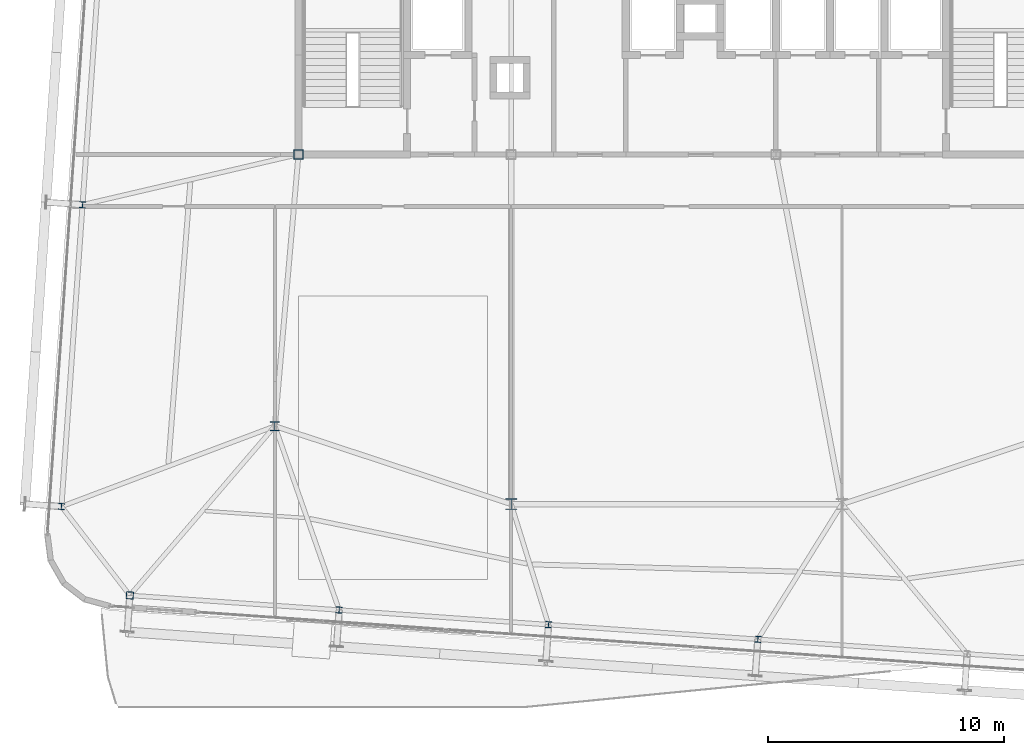
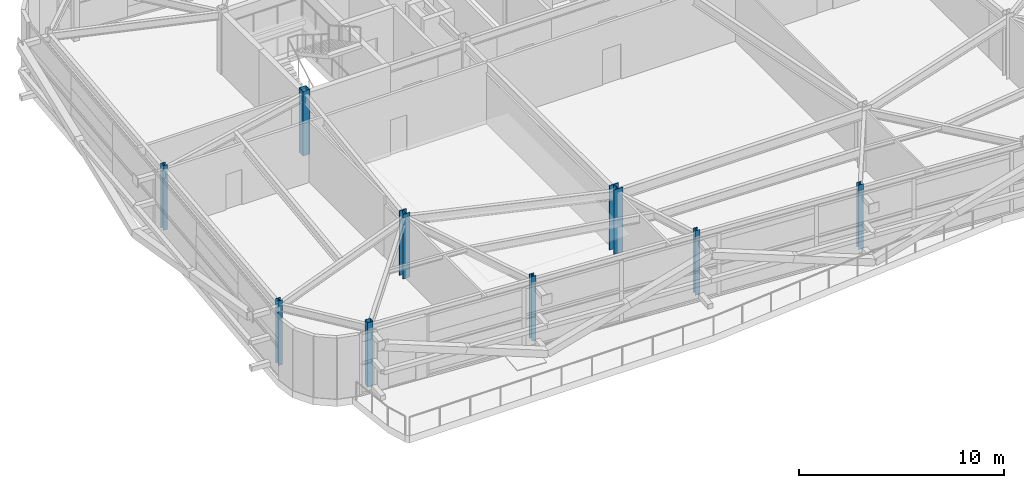
# One storey, part 1 of 36: 9 columns.
"""IFC4 building model written with IfcOpenShell, lengths in metres."""

from ifc_helpers import new_model, si_unit, direction, frame, origin, origin_2d, place, context, subcontext, project, spatial, hollow_rectangle, i_section, extrude, source, transform, mapped, material, material_profile, profile_set, type_object, element, save


model = new_model("IFC4")

# Units and contexts
model_context = context("Model", 3, precision=1e-05, world=origin(), true_north=direction((0.0, 1.0)))
body_context = subcontext(model_context, "Body", "Model", "MODEL_VIEW")
ifc_project = project(units=[si_unit("LENGTHUNIT", "METRE"), si_unit("AREAUNIT", "SQUARE_METRE"), si_unit("VOLUMEUNIT", "CUBIC_METRE"), si_unit("PLANEANGLEUNIT", "RADIAN"), si_unit("MASSUNIT", "GRAM", prefix="KILO")], contexts=[model_context])

# Site, building, storey
site_placement = place(None, origin())
site = spatial("IfcSite", under=ifc_project, at=site_placement, CompositionType="ELEMENT")
building_placement = place(site_placement, origin())
building = spatial("IfcBuilding", under=site, at=building_placement, Name="Taldren Reach Tower", CompositionType="ELEMENT")
storey_placement = place(building_placement, frame((0.0, 0.0, 116.550048828125)))
storey = spatial("IfcBuildingStorey", under=building, at=storey_placement, Name="L35", CompositionType="ELEMENT", Elevation=116.550048828125)

# Columns
ifc_material_1 = material(Name="Steel Gr 450 (C450L0)", Category="steel")
ifc_material_profile_1 = material_profile(ifc_material_1, hollow_rectangle(XDim=0.39990234375, YDim=0.39990234375, WallThickness=0.01611328125, at=origin_2d()), Name="400x400x16.0SHS")
ifc_profile_set_1 = profile_set([ifc_material_profile_1], Name="Steel Gr 450 (C450L0)")
column_type_1 = type_object("IfcColumnType", Name="COL-SHS400", PredefinedType="COLUMN", material=ifc_profile_set_1)
shared_shape_1 = source(origin(), body_context, "Body", "SweptSolid", [
    extrude(hollow_rectangle(XDim=0.39990234375, YDim=0.39990234375, WallThickness=0.01611328125, at=origin_2d()), origin(), (0.0, 0.0, 1.0), 3.849853515625),
])
column_1_placement = place(storey_placement, frame((19.0, 24.0, 0.0), z_axis=(0.0, 0.0, 1.0), x_axis=(1.0, 0.0, 0.0)))
element("IfcColumn", 1, at=column_1_placement, inside=storey, type_object=column_type_1, Name="Mega column MC-C1 L35", PredefinedType="COLUMN", context=body_context, shape_type="MappedRepresentation", body=[
    mapped(shared_shape_1, transform((0.0, 0.0, 0.0), scale=1.0)),
])
ifc_material_2 = material(Name="Steel Gr 350 (350PLUS)", Category="steel")
ifc_material_profile_2 = material_profile(ifc_material_2, i_section(OverallWidth=0.5, OverallDepth=0.464111328125, WebThickness=0.02197265625, FlangeThickness=0.033935546875, at=origin_2d()), Name="500WC340")
ifc_profile_set_2 = profile_set([ifc_material_profile_2], Name="Steel Gr 350 (350PLUS)")
column_type_2 = type_object("IfcColumnType", Name="COL-WC500B", PredefinedType="COLUMN", material=ifc_profile_set_2)
shared_shape_2 = source(origin(), body_context, "Body", "SweptSolid", [
    extrude(i_section(OverallWidth=0.5, OverallDepth=0.464111328125, WebThickness=0.02197265625, FlangeThickness=0.033935546875, at=origin_2d()), origin(), (0.0, 0.0, 1.0), 3.849853515625),
])
column_2_placement = place(storey_placement, frame((28.0, 9.199951171875, 0.0), z_axis=(0.0, 0.0, 1.0), x_axis=(1.0, 0.0, 0.0)))
element("IfcColumn", 2, at=column_2_placement, inside=storey, type_object=column_type_2, Name="Mega column MC-PJW L35", PredefinedType="COLUMN", context=body_context, shape_type="MappedRepresentation", body=[
    mapped(shared_shape_2, transform((0.0, 0.0, 0.0), scale=1.0)),
])
ifc_material_profile_3 = material_profile(ifc_material_2, i_section(OverallWidth=0.39990234375, OverallDepth=0.39599609375, WebThickness=0.02197265625, FlangeThickness=0.033935546875, at=origin_2d()), Name="400WC270")
ifc_profile_set_3 = profile_set([ifc_material_profile_3], Name="Steel Gr 350 (350PLUS)")
column_type_3 = type_object("IfcColumnType", Name="COL-WC400", PredefinedType="COLUMN", material=ifc_profile_set_3)
shared_shape_3 = source(origin(), body_context, "Body", "SweptSolid", [
    extrude(i_section(OverallWidth=0.39990234375, OverallDepth=0.39599609375, WebThickness=0.02197265625, FlangeThickness=0.033935546875, at=origin_2d()), origin(), (0.0, 0.0, 1.0), 3.849853515625),
])
column_3_placement = place(storey_placement, frame((18.0, 12.5, 0.0), z_axis=(0.0, 0.0, 1.0), x_axis=(1.0, 0.0, 0.0)))
element("IfcColumn", 3, at=column_3_placement, inside=storey, type_object=column_type_3, Name="Mega column MC-SW L35", PredefinedType="COLUMN", context=body_context, shape_type="MappedRepresentation", body=[
    mapped(shared_shape_3, transform((0.0, 0.0, 0.0), scale=1.0)),
])
ifc_material_profile_4 = material_profile(ifc_material_1, hollow_rectangle(XDim=0.300048828125, YDim=0.300048828125, WallThickness=0.012451171875, at=origin_2d()), Name="300x300x12.5SHS")
ifc_profile_set_4 = profile_set([ifc_material_profile_4], Name="Steel Gr 450 (C450L0)")
column_type_4 = type_object("IfcColumnType", Name="COL-SHS300", PredefinedType="COLUMN", material=ifc_profile_set_4)
shared_shape_4 = source(origin(), body_context, "Body", "SweptSolid", [
    extrude(hollow_rectangle(XDim=0.300048828125, YDim=0.300048828125, WallThickness=0.012451171875, at=origin_2d()), origin(), (0.0, 0.0, 1.0), 3.849853515625),
])
column_4_placement = place(storey_placement, frame((11.863525390625, 5.33837890625, 0.0), z_axis=(0.0, 0.0, 1.0), x_axis=(0.99756405026, -0.069756473744, 0.0)))
element("IfcColumn", 4, at=column_4_placement, inside=storey, type_object=column_type_4, Name="Block B3 perimeter column S1 L35", PredefinedType="COLUMN", context=body_context, shape_type="MappedRepresentation", body=[
    mapped(shared_shape_4, transform((0.0, 0.0, 0.0), scale=1.0)),
])
ifc_material_profile_5 = material_profile(ifc_material_2, i_section(OverallWidth=0.256103515625, OverallDepth=0.260009765625, WebThickness=0.010498046875, FlangeThickness=0.017333984375, at=origin_2d()), Name="250UC89.5")
ifc_profile_set_5 = profile_set([ifc_material_profile_5], Name="Steel Gr 350 (350PLUS)")
column_type_5 = type_object("IfcColumnType", Name="COL-UC250", PredefinedType="COLUMN", material=ifc_profile_set_5)
shared_shape_5 = source(origin(), body_context, "Body", "SweptSolid", [
    extrude(i_section(OverallWidth=0.256103515625, OverallDepth=0.260009765625, WebThickness=0.010498046875, FlangeThickness=0.017333984375, at=origin_2d()), origin(), (0.0, 0.0, 1.0), 3.849853515625),
])
for number, where, z_axis, x_axis, name in (
    (5, (20.721923828125, 4.718994140625, 0.0), (0.0, 0.0, 1.0), (0.99756405026, -0.069756473744, 0.0), "Block B3 perimeter column S2 L35"),
    (6, (29.580322265625, 4.099609375, 0.0), (0.0, 0.0, 1.0), (0.99756405026, -0.069756473744, 0.0), "Block B3 perimeter column S3 L35"),
    (7, (38.438720703125, 3.480224609375, 0.0), (0.0, 0.0, 1.0), (0.99756405026, -0.069756473744, 0.0), "Block B3 perimeter column S4 L35"),
    (8, (8.96875, 9.099609375, 0.0), (0.0, 0.0, 1.0), (0.99756405026, -0.069756473744, 0.0), "Block B3 perimeter column W1 L35"),
    (9, (9.86181640625, 21.868408203125, 0.0), (0.0, 0.0, 1.0), (0.99756405026, -0.069756473744, 0.0), "Block B3 perimeter column W2 L35"),
):
    element("IfcColumn", number, at=place(storey_placement, frame(where, z_axis=z_axis, x_axis=x_axis)), inside=storey, type_object=column_type_5, Name=name, PredefinedType="COLUMN", context=body_context, shape_type="MappedRepresentation", body=[
        mapped(shared_shape_5, transform((0.0, 0.0, 0.0), scale=1.0)),
    ])

save(model, "model.ifc")
